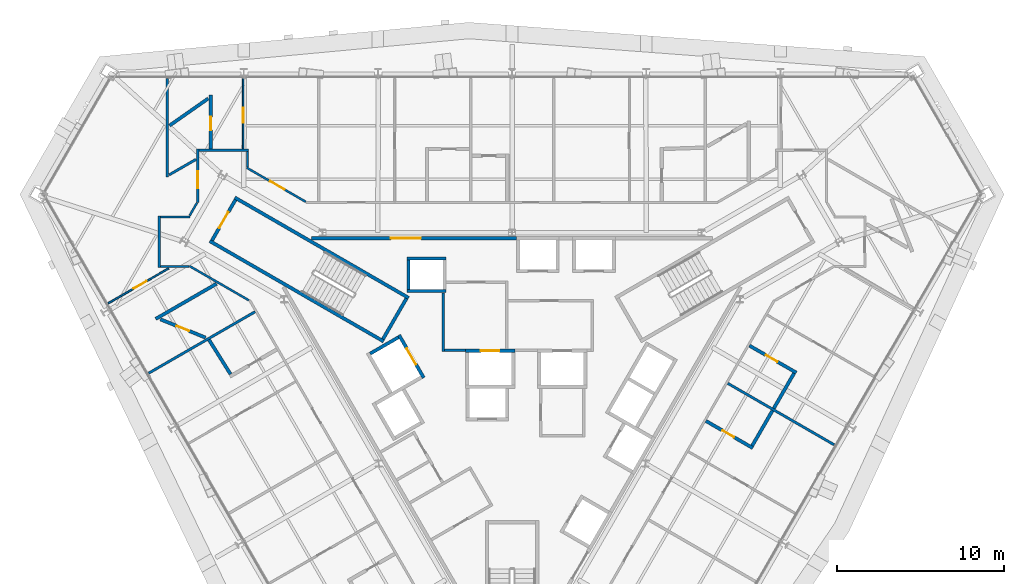
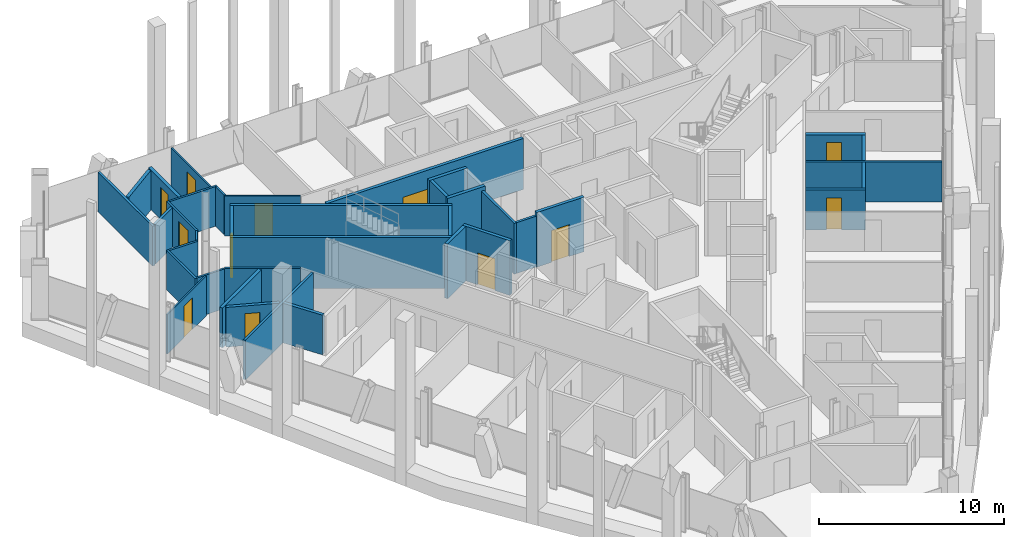
# One storey, part 12 of 16: 37 walls, 12 doors, 12 openings.
"""IFC4 building model written with IfcOpenShell, lengths in metres."""

from ifc_helpers import new_model, si_unit, direction, frame, frame_2d, origin, place, context, subcontext, project, spatial, rectangle, extrude, material, layer, layer_set, type_object, element, fill, save


model = new_model("IFC4")

# Units and contexts
model_context = context("Model", 3, precision=1e-05, world=origin(), true_north=direction((0.0, 1.0)))
body_context = subcontext(model_context, "Body", "Model", "MODEL_VIEW")
ifc_project = project(units=[si_unit("LENGTHUNIT", "METRE"), si_unit("AREAUNIT", "SQUARE_METRE"), si_unit("VOLUMEUNIT", "CUBIC_METRE"), si_unit("PLANEANGLEUNIT", "RADIAN"), si_unit("MASSUNIT", "GRAM", prefix="KILO")], contexts=[model_context])

# Site, building, storey
site_placement = place(None, origin())
site = spatial("IfcSite", under=ifc_project, at=site_placement, CompositionType="ELEMENT")
building_placement = place(site_placement, origin())
building = spatial("IfcBuilding", under=site, at=building_placement, Name="Verrane Prism Tower", CompositionType="ELEMENT")
storey_placement = place(building_placement, frame((0.0, 0.0, 103.60009765625)))
storey = spatial("IfcBuildingStorey", under=building, at=storey_placement, Name="L24", CompositionType="ELEMENT", Elevation=103.60009765625)

# Wall, opening, door
ifc_material_1 = material(Name="Gypsum board partition", Category="other")
ifc_layer_1 = layer(ifc_material_1, 0.199951171875)
ifc_layer_set_1 = layer_set([ifc_layer_1], Name="CW-200 core boundary wall 2 h")
wall_type_1 = type_object("IfcWallType", Name="CW-200 core boundary wall 2 h", PredefinedType="PARTITIONING", material=ifc_layer_set_1)
wall_1_placement = place(storey_placement, frame((0.262939453125, 8.860107421875, 0.0), z_axis=(0.0, 0.0, 1.0), x_axis=(-1.0, 0.0, 0.0)))
wall_1 = element("IfcWall", 1, at=wall_1_placement, inside=storey, type_object=wall_type_1, Name="Core boundary wall CW3-002", PredefinedType="PARTITIONING", context=body_context, shape_type="SweptSolid", body=[
    extrude(rectangle(XDim=12.25390625, YDim=0.199951171875, at=frame_2d((6.126953125, 0.0))), origin(), (0.0, 0.0, 1.0), 3.349853515625),
])
opening_1_placement = place(wall_1_placement, frame((5.708984375, 0.0, 0.0)))
opening_1 = element("IfcOpeningElement", 2, at=opening_1_placement, cuts=wall_1, Name="Opening D24511", PredefinedType="OPENING", context=body_context, shape_type="SweptSolid", body=[
    extrude(rectangle(XDim=1.800048828125, YDim=2.10009765625, at=frame_2d((0.89990234375, 1.050048828125))), frame((0.0, 0.10986328125, 0.0), z_axis=(0.0, -1.0, 0.0), x_axis=(1.0, 0.0, 0.0)), (0.0, 0.0, 1.0), 0.219970703125),
])
ifc_material_2 = material(Name="Timber veneered door leaf", Category="wood")
door_type_1 = type_object("IfcDoorType", Name="DR-1800x2100 FD60 double leaf lift lobby", OperationType="NOTDEFINED", PredefinedType="DOOR", material=ifc_material_2)
door_1_placement = place(opening_1_placement, origin())
door_1 = element("IfcDoor", 3, at=door_1_placement, inside=storey, type_object=door_type_1, Name="Lift lobby door D24511", OperationType="DOUBLE_DOOR_SINGLE_SWING", OverallHeight=2.10009765625, OverallWidth=1.800048828125, PredefinedType="DOOR", context=body_context, shape_type="SweptSolid", body=[
    extrude(rectangle(XDim=1.800048828125, YDim=2.10009765625, at=frame_2d((0.89990234375, 1.050048828125))), frame((0.0, 0.02490234375, 0.0), z_axis=(0.0, -1.0, 0.0), x_axis=(1.0, 0.0, 0.0)), (0.0, 0.0, 1.0), 0.050048828125),
])
fill(opening_1, door_1)

ifc_material_3 = material(Name="Concrete C40/50", Category="concrete")
ifc_layer_2 = layer(ifc_material_3, 0.199951171875)
ifc_layer_set_2 = layer_set([ifc_layer_2], Name="CW-200 stair core wall concrete C40/50 3 h")
wall_type_2 = type_object("IfcWallType", Name="CW-200 stair core wall concrete C40/50 3 h", PredefinedType="PARTITIONING", material=ifc_layer_set_2)
wall_2_placement = place(storey_placement, frame((-16.533935546875, 11.162353515625, 0.0), z_axis=(0.0, 0.0, 1.0), x_axis=(-0.49998411664, -0.866034573852, 0.0)))
wall_2 = element("IfcWall", 4, at=wall_2_placement, inside=storey, type_object=wall_type_2, Name="Stair 2 enclosure wall", PredefinedType="PARTITIONING", context=body_context, shape_type="SweptSolid", body=[
    extrude(rectangle(XDim=2.7998046875, YDim=0.199951171875, at=frame_2d((1.39990234375, 0.0))), origin(), (0.0, 0.0, 1.0), 3.349853515625),
])
opening_2_placement = place(wall_2_placement, frame((0.849853515625, 0.0, 0.0)))
opening_2 = element("IfcOpeningElement", 5, at=opening_2_placement, cuts=wall_2, Name="Opening D24501", PredefinedType="OPENING", context=body_context, shape_type="SweptSolid", body=[
    extrude(rectangle(XDim=1.10009765625, YDim=2.10009765625, at=frame_2d((0.550048828125, 1.050048828125))), frame((0.0, 0.10986328125, 0.0), z_axis=(0.0, -1.0, 0.0), x_axis=(1.0, 0.0, 0.0)), (0.0, 0.0, 1.0), 0.219970703125),
])
ifc_material_4 = material(Name="Timber veneered door leaf", Category="wood")
door_type_2 = type_object("IfcDoorType", Name="DR-1100x2100 FD90 single leaf stair", OperationType="NOTDEFINED", PredefinedType="DOOR", material=ifc_material_4)
door_2_placement = place(opening_2_placement, origin())
door_2 = element("IfcDoor", 6, at=door_2_placement, inside=storey, type_object=door_type_2, Name="Stair 2 door", OperationType="SINGLE_SWING_RIGHT", OverallHeight=2.10009765625, OverallWidth=1.10009765625, PredefinedType="DOOR", context=body_context, shape_type="SweptSolid", body=[
    extrude(rectangle(XDim=1.10009765625, YDim=2.10009765625, at=frame_2d((0.550048828125, 1.050048828125))), frame((0.0, 0.02490234375, 0.0), z_axis=(0.0, -1.0, 0.0), x_axis=(1.0, 0.0, 0.0)), (0.0, 0.0, 1.0), 0.050048828125),
])
fill(opening_2, door_2)

# Walls
for number, where, z_axis, x_axis, name in (
    (7, (-7.67822265625, 2.700927734375, 0.0), (0.0, 0.0, 1.0), (-0.866026010844, 0.49999894854, 0.0), "Stair 2 enclosure wall"),
    (8, (-6.17822265625, 5.299072265625, 0.0), (0.0, 0.0, 1.0), (-0.866026010844, 0.49999894854, 0.0), "Stair 2 enclosure wall"),
):
    element("IfcWall", number, at=place(storey_placement, frame(where, z_axis=z_axis, x_axis=x_axis)), inside=storey, type_object=wall_type_2, Name=name, PredefinedType="PARTITIONING", context=body_context, shape_type="SweptSolid", body=[
        extrude(rectangle(XDim=12.0, YDim=0.199951171875, at=frame_2d((6.0, 0.0))), origin(), (0.0, 0.0, 1.0), 3.349853515625),
    ])
wall_3_placement = place(storey_placement, frame((-6.314697265625, 5.262451171875, 0.0), z_axis=(0.0, 0.0, 1.0), x_axis=(-0.500049511043, -0.865996816683, 0.0)))
element("IfcWall", 9, at=wall_3_placement, inside=storey, type_object=wall_type_2, Name="Stair 2 enclosure wall", PredefinedType="PARTITIONING", context=body_context, shape_type="SweptSolid", body=[
    extrude(rectangle(XDim=2.800048828125, YDim=0.199951171875, at=frame_2d((1.39990234375, 0.0))), origin(), (0.0, 0.0, 1.0), 3.349853515625),
])

# Wall, opening, door
ifc_material_5 = material(Name="Gypsum board shaft wall assembly", Category="other")
ifc_layer_3 = layer(ifc_material_5, 0.199951171875)
ifc_layer_set_3 = layer_set([ifc_layer_3], Name="HW-200 lift shaft wall 2 h")
wall_type_3 = type_object("IfcWallType", Name="HW-200 lift shaft wall 2 h", PredefinedType="PARTITIONING", material=ifc_layer_set_3)
wall_4_placement = place(storey_placement, frame((-2.784912109375, 2.14990234375, 0.0), z_axis=(0.0, 0.0, 1.0), x_axis=(1.0, 0.0, 0.0)))
wall_4 = element("IfcWall", 10, at=wall_4_placement, inside=storey, type_object=wall_type_3, Name="Lift shaft wall", PredefinedType="PARTITIONING", context=body_context, shape_type="SweptSolid", body=[
    extrude(rectangle(XDim=2.949951171875, YDim=0.199951171875, at=frame_2d((1.47509765625, 0.0))), origin(), (0.0, 0.0, 1.0), 3.599853515625),
])
opening_3_placement = place(wall_4_placement, frame((0.925048828125, 0.0, 0.0)))
opening_3 = element("IfcOpeningElement", 11, at=opening_3_placement, cuts=wall_4, Name="Opening D24508", PredefinedType="OPENING", context=body_context, shape_type="SweptSolid", body=[
    extrude(rectangle(XDim=1.10009765625, YDim=2.10009765625, at=frame_2d((0.550048828125, 1.050048828125))), frame((0.0, 0.10986328125, 0.0), z_axis=(0.0, -1.0, 0.0), x_axis=(1.0, 0.0, 0.0)), (0.0, 0.0, 1.0), 0.219970703125),
])
ifc_material_6 = material(Name="Stainless steel sliding landing door", Category="steel")
door_type_3 = type_object("IfcDoorType", Name="LD-1100x2100 lift landing door FD90 sliding", OperationType="NOTDEFINED", PredefinedType="DOOR", material=ifc_material_6)
door_3_placement = place(opening_3_placement, origin())
door_3 = element("IfcDoor", 12, at=door_3_placement, inside=storey, type_object=door_type_3, Name="Fire service lift 1 landing door", OperationType="SLIDING_TO_LEFT", OverallHeight=2.10009765625, OverallWidth=1.10009765625, PredefinedType="DOOR", context=body_context, shape_type="SweptSolid", body=[
    extrude(rectangle(XDim=1.10009765625, YDim=2.10009765625, at=frame_2d((0.550048828125, 1.050048828125))), frame((0.0, 0.02490234375, 0.0), z_axis=(0.0, -1.0, 0.0), x_axis=(1.0, 0.0, 0.0)), (0.0, 0.0, 1.0), 0.050048828125),
])
fill(opening_3, door_3)

# Walls
for number, where, z_axis, x_axis, name in (
    (13, (-6.284912109375, 5.7099609375, 0.0), (0.0, 0.0, 1.0), (1.0, 0.0, 0.0), "Lift shaft wall"),
    (14, (-6.284912109375, 7.659912109375, 0.0), (0.0, 0.0, 1.0), (1.0, 0.0, 0.0), "Lift shaft wall"),
):
    element("IfcWall", number, at=place(storey_placement, frame(where, z_axis=z_axis, x_axis=x_axis)), inside=storey, type_object=wall_type_3, Name=name, PredefinedType="PARTITIONING", context=body_context, shape_type="SweptSolid", body=[
        extrude(rectangle(XDim=2.349853515625, YDim=0.199951171875, at=frame_2d((1.1748046875, 0.0))), origin(), (0.0, 0.0, 1.0), 3.599853515625),
    ])
wall_5_placement = place(storey_placement, frame((-8.48046875, 1.968505859375, 0.0), z_axis=(0.0, 0.0, 1.0), x_axis=(0.866000020948, 0.500043961785, 0.0)))
element("IfcWall", 15, at=wall_5_placement, inside=storey, type_object=wall_type_3, Name="Lift shaft wall", PredefinedType="PARTITIONING", context=body_context, shape_type="SweptSolid", body=[
    extrude(rectangle(XDim=1.949951171875, YDim=0.199951171875, at=frame_2d((0.97509765625, 0.0))), origin(), (0.0, 0.0, 1.0), 3.599853515625),
])
wall_6_placement = place(storey_placement, frame((-6.18505859375, 5.81005859375, 0.0), z_axis=(0.0, 0.0, 1.0), x_axis=(0.0, 1.0, 0.0)))
element("IfcWall", 16, at=wall_6_placement, inside=storey, type_object=wall_type_3, Name="Lift shaft wall", PredefinedType="PARTITIONING", context=body_context, shape_type="SweptSolid", body=[
    extrude(rectangle(XDim=1.75, YDim=0.199951171875, at=frame_2d((0.875, 0.0))), origin(), (0.0, 0.0, 1.0), 3.599853515625),
])

# Wall, opening, door
wall_7_placement = place(storey_placement, frame((-5.280029296875, 0.525390625, 0.0), z_axis=(0.0, 0.0, 1.0), x_axis=(-0.500037662692, 0.866003658127, 0.0)))
wall_7 = element("IfcWall", 17, at=wall_7_placement, inside=storey, type_object=wall_type_3, Name="Lift shaft wall", PredefinedType="PARTITIONING", context=body_context, shape_type="SweptSolid", body=[
    extrude(rectangle(XDim=2.949951171875, YDim=0.199951171875, at=frame_2d((1.47509765625, 0.0))), origin(), (0.0, 0.0, 1.0), 3.599853515625),
])
opening_4_placement = place(wall_7_placement, frame((0.925048828125, 0.0, 0.0)))
opening_4 = element("IfcOpeningElement", 18, at=opening_4_placement, cuts=wall_7, Name="Opening D24510", PredefinedType="OPENING", context=body_context, shape_type="SweptSolid", body=[
    extrude(rectangle(XDim=1.10009765625, YDim=2.10009765625, at=frame_2d((0.550048828125, 1.050048828125))), frame((0.0, 0.10986328125, 0.0), z_axis=(0.0, -1.0, 0.0), x_axis=(1.0, 0.0, 0.0)), (0.0, 0.0, 1.0), 0.219970703125),
])
door_4_placement = place(opening_4_placement, origin())
door_4 = element("IfcDoor", 19, at=door_4_placement, inside=storey, type_object=door_type_3, Name="Service lift 1 landing door", OperationType="SLIDING_TO_LEFT", OverallHeight=2.10009765625, OverallWidth=1.10009765625, PredefinedType="DOOR", context=body_context, shape_type="SweptSolid", body=[
    extrude(rectangle(XDim=1.10009765625, YDim=2.10009765625, at=frame_2d((0.550048828125, 1.050048828125))), frame((0.0, 0.02490234375, 0.0), z_axis=(0.0, -1.0, 0.0), x_axis=(1.0, 0.0, 0.0)), (0.0, 0.0, 1.0), 0.050048828125),
])
fill(opening_4, door_4)

# Walls
ifc_material_7 = material(Name="Gypsum board partition", Category="other")
ifc_layer_4 = layer(ifc_material_7, 0.14990234375)
ifc_layer_set_4 = layer_set([ifc_layer_4], Name="LF-150 firefighting lobby wall 1 h")
wall_type_4 = type_object("IfcWallType", Name="LF-150 firefighting lobby wall 1 h", PredefinedType="PARTITIONING", material=ifc_layer_set_4)
wall_8_placement = place(storey_placement, frame((-4.10009765625, 2.0849609375, 0.0), z_axis=(0.0, 0.0, 1.0), x_axis=(0.0, 1.0, 0.0)))
element("IfcWall", 20, at=wall_8_placement, inside=storey, type_object=wall_type_4, Name="Firefighting lobby wall LF1-001", PredefinedType="PARTITIONING", context=body_context, shape_type="SweptSolid", body=[
    extrude(rectangle(XDim=3.52294921875, YDim=0.14990234375, at=frame_2d((1.761474609375, 0.0))), origin(), (0.0, 0.0, 1.0), 3.349853515625),
])
wall_9_placement = place(storey_placement, frame((-4.02490234375, 2.159912109375, 0.0), z_axis=(0.0, 0.0, 1.0), x_axis=(1.0, 0.0, 0.0)))
element("IfcWall", 21, at=wall_9_placement, inside=storey, type_object=wall_type_4, Name="Firefighting lobby wall LF1-002", PredefinedType="PARTITIONING", context=body_context, shape_type="SweptSolid", body=[
    extrude(rectangle(XDim=1.23779296875, YDim=0.14990234375, at=frame_2d((0.618896484375, 0.0))), origin(), (0.0, 0.0, 1.0), 3.349853515625),
])

# Wall, opening, door
ifc_material_8 = material(Name="Gypsum board partition", Category="other")
ifc_layer_5 = layer(ifc_material_8, 0.10009765625)
ifc_layer_set_5 = layer_set([ifc_layer_5], Name="PW-100 room partition")
wall_type_5 = type_object("IfcWallType", Name="PW-100 room partition", PredefinedType="PARTITIONING", material=ifc_layer_set_5)
wall_10_placement = place(storey_placement, frame((-20.521240234375, 7.067138671875, 0.0), z_axis=(0.0, 0.0, 1.0), x_axis=(-0.866025950195, -0.499999053588, 0.0)))
wall_10 = element("IfcWall", 22, at=wall_10_placement, inside=storey, type_object=wall_type_5, Name="Room partition 001", PredefinedType="PARTITIONING", context=body_context, shape_type="SweptSolid", body=[
    extrude(rectangle(XDim=4.1767578125, YDim=0.10009765625, at=frame_2d((2.08837890625, 0.0))), origin(), (0.0, 0.0, 1.0), 2.61279296875),
])
opening_5_placement = place(wall_10_placement, frame((1.522216796875, 0.0, 0.0)))
opening_5 = element("IfcOpeningElement", 23, at=opening_5_placement, cuts=wall_10, Name="Opening D24029", PredefinedType="OPENING", context=body_context, shape_type="SweptSolid", body=[
    extrude(rectangle(XDim=0.89990234375, YDim=2.10009765625, at=frame_2d((0.449951171875, 1.050048828125))), frame((0.0, 0.06005859375, 0.0), z_axis=(0.0, -1.0, 0.0), x_axis=(1.0, 0.0, 0.0)), (0.0, 0.0, 1.0), 0.1201171875),
])
ifc_material_9 = material(Name="Timber veneered door leaf", Category="wood")
door_type_4 = type_object("IfcDoorType", Name="DR-900x2100 single leaf inner", OperationType="NOTDEFINED", PredefinedType="DOOR", material=ifc_material_9)
door_5_placement = place(opening_5_placement, origin())
door_5 = element("IfcDoor", 24, at=door_5_placement, inside=storey, type_object=door_type_4, Name="Suite Living Room door", OperationType="SINGLE_SWING_RIGHT", OverallHeight=2.10009765625, OverallWidth=0.89990234375, PredefinedType="DOOR", context=body_context, shape_type="SweptSolid", body=[
    extrude(rectangle(XDim=0.89990234375, YDim=2.10009765625, at=frame_2d((0.449951171875, 1.050048828125))), frame((0.0, 0.02490234375, 0.0), z_axis=(0.0, -1.0, 0.0), x_axis=(1.0, 0.0, 0.0)), (0.0, 0.0, 1.0), 0.050048828125),
])
fill(opening_5, door_5)

wall_11_placement = place(storey_placement, frame((-16.074951171875, 14.189453125, 0.0), z_axis=(0.0, 0.0, 1.0), x_axis=(0.0, 1.0, 0.0)))
wall_11 = element("IfcWall", 25, at=wall_11_placement, inside=storey, type_object=wall_type_5, Name="Room partition 020", PredefinedType="PARTITIONING", context=body_context, shape_type="SweptSolid", body=[
    extrude(rectangle(XDim=4.2255859375, YDim=0.10009765625, at=frame_2d((2.11279296875, 0.0))), origin(), (0.0, 0.0, 1.0), 2.61279296875),
])
opening_6_placement = place(wall_11_placement, frame((1.58740234375, 0.0, 0.0)))
opening_6 = element("IfcOpeningElement", 26, at=opening_6_placement, cuts=wall_11, Name="Opening D24026", PredefinedType="OPENING", context=body_context, shape_type="SweptSolid", body=[
    extrude(rectangle(XDim=0.89990234375, YDim=2.10009765625, at=frame_2d((0.449951171875, 1.050048828125))), frame((0.0, 0.06005859375, 0.0), z_axis=(0.0, -1.0, 0.0), x_axis=(1.0, 0.0, 0.0)), (0.0, 0.0, 1.0), 0.1201171875),
])
door_6_placement = place(opening_6_placement, origin())
door_6 = element("IfcDoor", 27, at=door_6_placement, inside=storey, type_object=door_type_4, Name="Suite Living Room door", OperationType="SINGLE_SWING_RIGHT", OverallHeight=2.10009765625, OverallWidth=0.89990234375, PredefinedType="DOOR", context=body_context, shape_type="SweptSolid", body=[
    extrude(rectangle(XDim=0.89990234375, YDim=2.10009765625, at=frame_2d((0.449951171875, 1.050048828125))), frame((0.0, 0.02490234375, 0.0), z_axis=(0.0, -1.0, 0.0), x_axis=(1.0, 0.0, 0.0)), (0.0, 0.0, 1.0), 0.050048828125),
])
fill(opening_6, door_6)

# Walls
ifc_material_10 = material(Name="Gypsum board partition", Category="other")
ifc_layer_6 = layer(ifc_material_10, 0.125)
ifc_layer_set_6 = layer_set([ifc_layer_6], Name="PW-125 corridor wall 1 h")
wall_type_6 = type_object("IfcWallType", Name="PW-125 corridor wall 1 h", PredefinedType="PARTITIONING", material=ifc_layer_set_6)
wall_12_placement = place(storey_placement, frame((-21.0869140625, 7.110595703125, 0.0), z_axis=(0.0, 0.0, 1.0), x_axis=(0.0, 1.0, 0.0)))
element("IfcWall", 28, at=wall_12_placement, inside=storey, type_object=wall_type_6, Name="Corridor wall 005", PredefinedType="PARTITIONING", context=body_context, shape_type="SweptSolid", body=[
    extrude(rectangle(XDim=3.098876953125, YDim=0.125, at=frame_2d((1.54931640625, 0.0))), origin(), (0.0, 0.0, 1.0), 2.61279296875),
])
wall_13_placement = place(storey_placement, frame((-21.02197265625, 7.173095703125, 0.0), z_axis=(0.0, 0.0, 1.0), x_axis=(1.0, 0.0, 0.0)))
element("IfcWall", 29, at=wall_13_placement, inside=storey, type_object=wall_type_6, Name="Corridor wall 006", PredefinedType="PARTITIONING", context=body_context, shape_type="SweptSolid", body=[
    extrude(rectangle(XDim=1.712890625, YDim=0.125, at=frame_2d((0.8564453125, 0.0))), origin(), (0.0, 0.0, 1.0), 2.61279296875),
])
wall_14_placement = place(storey_placement, frame((-21.02197265625, 10.14697265625, 0.0), z_axis=(0.0, 0.0, 1.0), x_axis=(1.0, 0.0, 0.0)))
element("IfcWall", 30, at=wall_14_placement, inside=storey, type_object=wall_type_6, Name="Corridor wall 007", PredefinedType="PARTITIONING", context=body_context, shape_type="SweptSolid", body=[
    extrude(rectangle(XDim=1.7705078125, YDim=0.125, at=frame_2d((0.88525390625, 0.0))), origin(), (0.0, 0.0, 1.0), 2.61279296875),
])
wall_15_placement = place(storey_placement, frame((-19.271484375, 10.220703125, 0.0), z_axis=(0.0, 0.0, 1.0), x_axis=(0.499881837328, 0.866093614288, 0.0)))
element("IfcWall", 31, at=wall_15_placement, inside=storey, type_object=wall_type_6, Name="Corridor wall 011", PredefinedType="PARTITIONING", context=body_context, shape_type="SweptSolid", body=[
    extrude(rectangle(XDim=0.884033203125, YDim=0.125, at=frame_2d((0.44189453125, 0.0))), origin(), (0.0, 0.0, 1.0), 2.61279296875),
])
wall_16_placement = place(storey_placement, frame((-19.278076171875, 7.204345703125, 0.0), z_axis=(0.0, 0.0, 1.0), x_axis=(0.865992261418, -0.50005739987, 0.0)))
element("IfcWall", 32, at=wall_16_placement, inside=storey, type_object=wall_type_6, Name="Corridor wall 013", PredefinedType="PARTITIONING", context=body_context, shape_type="SweptSolid", body=[
    extrude(rectangle(XDim=4.10107421875, YDim=0.125, at=frame_2d((2.050537109375, 0.0))), origin(), (0.0, 0.0, 1.0), 2.61279296875),
])

# Wall, opening, door
wall_17_placement = place(storey_placement, frame((-18.787109375, 10.99755859375, 0.0), z_axis=(0.0, 0.0, 1.0), x_axis=(0.0, 1.0, 0.0)))
wall_17 = element("IfcWall", 33, at=wall_17_placement, inside=storey, type_object=wall_type_6, Name="Corridor wall 014", PredefinedType="PARTITIONING", context=body_context, shape_type="SweptSolid", body=[
    extrude(rectangle(XDim=3.19189453125, YDim=0.125, at=frame_2d((1.595947265625, 0.0))), origin(), (0.0, 0.0, 1.0), 2.61279296875),
])
opening_7_placement = place(wall_17_placement, frame((0.862548828125, 0.0, 0.0)))
opening_7 = element("IfcOpeningElement", 34, at=opening_7_placement, cuts=wall_17, Name="Opening D24028", PredefinedType="OPENING", context=body_context, shape_type="SweptSolid", body=[
    extrude(rectangle(XDim=1.0, YDim=2.10009765625, at=frame_2d((0.5, 1.050048828125))), frame((0.0, 0.072509765625, 0.0), z_axis=(0.0, -1.0, 0.0), x_axis=(1.0, 0.0, 0.0)), (0.0, 0.0, 1.0), 0.14501953125),
])
ifc_material_11 = material(Name="Timber veneered door leaf", Category="wood")
door_type_5 = type_object("IfcDoorType", Name="DR-1000x2100 FD20 single leaf unit", OperationType="NOTDEFINED", PredefinedType="DOOR", material=ifc_material_11)
door_7_placement = place(opening_7_placement, origin())
door_7 = element("IfcDoor", 35, at=door_7_placement, inside=storey, type_object=door_type_5, Name="Suite Living Room door", OperationType="SINGLE_SWING_RIGHT", OverallHeight=2.10009765625, OverallWidth=1.0, PredefinedType="DOOR", context=body_context, shape_type="SweptSolid", body=[
    extrude(rectangle(XDim=1.0, YDim=2.10009765625, at=frame_2d((0.5, 1.050048828125))), frame((0.0, 0.02490234375, 0.0), z_axis=(0.0, -1.0, 0.0), x_axis=(1.0, 0.0, 0.0)), (0.0, 0.0, 1.0), 0.050048828125),
])
fill(opening_7, door_7)

# Walls
wall_18_placement = place(storey_placement, frame((-18.721923828125, 14.126953125, 0.0), z_axis=(0.0, 0.0, 1.0), x_axis=(1.0, 0.0, 0.0)))
element("IfcWall", 36, at=wall_18_placement, inside=storey, type_object=wall_type_6, Name="Corridor wall 015", PredefinedType="PARTITIONING", context=body_context, shape_type="SweptSolid", body=[
    extrude(rectangle(XDim=2.971435546875, YDim=0.125, at=frame_2d((1.48583984375, 0.0))), origin(), (0.0, 0.0, 1.0), 2.61279296875),
])
wall_19_placement = place(storey_placement, frame((-15.81298828125, 13.139892578125, 0.0), z_axis=(0.0, 0.0, 1.0), x_axis=(0.0, 1.0, 0.0)))
element("IfcWall", 37, at=wall_19_placement, inside=storey, type_object=wall_type_6, Name="Corridor wall 021", PredefinedType="PARTITIONING", context=body_context, shape_type="SweptSolid", body=[
    extrude(rectangle(XDim=0.922119140625, YDim=0.125, at=frame_2d((0.4609375, 0.0))), origin(), (0.0, 0.0, 1.0), 2.61279296875),
])

# Wall, opening, door
wall_20_placement = place(storey_placement, frame((-15.8671875, 13.086181640625, 0.0), z_axis=(0.0, 0.0, 1.0), x_axis=(0.866070231021, -0.499922348909, 0.0)))
wall_20 = element("IfcWall", 38, at=wall_20_placement, inside=storey, type_object=wall_type_6, Name="Corridor wall 022", PredefinedType="PARTITIONING", context=body_context, shape_type="SweptSolid", body=[
    extrude(rectangle(XDim=4.088134765625, YDim=0.125, at=frame_2d((2.0439453125, 0.0))), origin(), (0.0, 0.0, 1.0), 2.61279296875),
])
opening_8_placement = place(wall_20_placement, frame((1.612548828125, 0.0, 0.0)))
opening_8 = element("IfcOpeningElement", 39, at=opening_8_placement, cuts=wall_20, Name="Opening D24025", PredefinedType="OPENING", context=body_context, shape_type="SweptSolid", body=[
    extrude(rectangle(XDim=1.0, YDim=2.10009765625, at=frame_2d((0.5, 1.050048828125))), frame((0.0, 0.072509765625, 0.0), z_axis=(0.0, -1.0, 0.0), x_axis=(1.0, 0.0, 0.0)), (0.0, 0.0, 1.0), 0.14501953125),
])
door_8_placement = place(opening_8_placement, origin())
door_8 = element("IfcDoor", 40, at=door_8_placement, inside=storey, type_object=door_type_5, Name="Suite Living Room door", OperationType="SINGLE_SWING_LEFT", OverallHeight=2.10009765625, OverallWidth=1.0, PredefinedType="DOOR", context=body_context, shape_type="SweptSolid", body=[
    extrude(rectangle(XDim=1.0, YDim=2.10009765625, at=frame_2d((0.5, 1.050048828125))), frame((0.0, 0.02490234375, 0.0), z_axis=(0.0, -1.0, 0.0), x_axis=(1.0, 0.0, 0.0)), (0.0, 0.0, 1.0), 0.050048828125),
])
fill(opening_8, door_8)

# Walls
ifc_material_12 = material(Name="Gypsum board partition", Category="other")
ifc_layer_7 = layer(ifc_material_12, 0.14990234375)
ifc_layer_set_7 = layer_set([ifc_layer_7], Name="PW-150 demising wall 1 h")
wall_type_7 = type_object("IfcWallType", Name="PW-150 demising wall 1 h", PredefinedType="PARTITIONING", material=ifc_layer_set_7)
wall_21_placement = place(storey_placement, frame((-21.724609375, 0.798095703125, 0.0), z_axis=(0.0, 0.0, 1.0), x_axis=(0.866003534372, 0.50003787702, 0.0)))
element("IfcWall", 41, at=wall_21_placement, inside=storey, type_object=wall_type_7, Name="Demising wall 002", PredefinedType="PARTITIONING", context=body_context, shape_type="SweptSolid", body=[
    extrude(rectangle(XDim=7.34765625, YDim=0.14990234375, at=frame_2d((3.673828125, 0.0))), origin(), (0.0, 0.0, 1.0), 2.61279296875),
])
wall_22_placement = place(storey_placement, frame((-20.60693359375, 12.51611328125, 0.0), z_axis=(0.0, 0.0, 1.0), x_axis=(0.0, 1.0, 0.0)))
element("IfcWall", 42, at=wall_22_placement, inside=storey, type_object=wall_type_7, Name="Demising wall 008", PredefinedType="PARTITIONING", context=body_context, shape_type="SweptSolid", body=[
    extrude(rectangle(XDim=5.89892578125, YDim=0.14990234375, at=frame_2d((2.949462890625, 0.0))), origin(), (0.0, 0.0, 1.0), 2.61279296875),
])
wall_23_placement = place(storey_placement, frame((-20.494384765625, 12.656005859375, 0.0), z_axis=(0.0, 0.0, 1.0), x_axis=(0.865984062371, 0.500071598593, 0.0)))
element("IfcWall", 43, at=wall_23_placement, inside=storey, type_object=wall_type_7, Name="Demising wall 009", PredefinedType="PARTITIONING", context=body_context, shape_type="SweptSolid", body=[
    extrude(rectangle(XDim=1.856201171875, YDim=0.14990234375, at=frame_2d((0.92822265625, 0.0))), origin(), (0.0, 0.0, 1.0), 2.61279296875),
])
wall_24_placement = place(storey_placement, frame((12.892578125, 0.1953125, 0.0), z_axis=(0.0, 0.0, 1.0), x_axis=(0.865995225926, -0.500052265941, 0.0)))
element("IfcWall", 44, at=wall_24_placement, inside=storey, type_object=wall_type_7, Name="Demising wall 064", PredefinedType="PARTITIONING", context=body_context, shape_type="SweptSolid", body=[
    extrude(rectangle(XDim=7.347412109375, YDim=0.14990234375, at=frame_2d((3.673828125, 0.0))), origin(), (0.0, 0.0, 1.0), 2.61279296875),
])

# Wall, opening, door
ifc_material_13 = material(Name="Gypsum board partition", Category="other")
ifc_layer_8 = layer(ifc_material_13, 0.199951171875)
ifc_layer_set_8 = layer_set([ifc_layer_8], Name="PW-200 plumbing wall")
wall_type_8 = type_object("IfcWallType", Name="PW-200 plumbing wall", PredefinedType="PARTITIONING", material=ifc_layer_set_8)
wall_25_placement = place(storey_placement, frame((-21.02099609375, 4.02001953125, 0.0), z_axis=(0.0, 0.0, 1.0), x_axis=(0.927010502524, -0.375035369278, 0.0)))
wall_25 = element("IfcWall", 45, at=wall_25_placement, inside=storey, type_object=wall_type_8, Name="Plumbing wall 003", PredefinedType="PARTITIONING", context=body_context, shape_type="SweptSolid", body=[
    extrude(rectangle(XDim=2.919677734375, YDim=0.199951171875, at=frame_2d((1.4599609375, 0.0))), origin(), (0.0, 0.0, 1.0), 2.61279296875),
])
opening_9_placement = place(wall_25_placement, frame((1.044921875, 0.0, 0.0)))
opening_9 = element("IfcOpeningElement", 46, at=opening_9_placement, cuts=wall_25, Name="Opening D24030", PredefinedType="OPENING", context=body_context, shape_type="SweptSolid", body=[
    extrude(rectangle(XDim=0.800048828125, YDim=2.10009765625, at=frame_2d((0.39990234375, 1.050048828125))), frame((0.0, 0.10986328125, 0.0), z_axis=(0.0, -1.0, 0.0), x_axis=(1.0, 0.0, 0.0)), (0.0, 0.0, 1.0), 0.219970703125),
])
ifc_material_14 = material(Name="Timber veneered door leaf", Category="wood")
door_type_6 = type_object("IfcDoorType", Name="DR-800x2100 single leaf bath", OperationType="NOTDEFINED", PredefinedType="DOOR", material=ifc_material_14)
door_9_placement = place(opening_9_placement, origin())
door_9 = element("IfcDoor", 47, at=door_9_placement, inside=storey, type_object=door_type_6, Name="En-Suite door", OperationType="SINGLE_SWING_RIGHT", OverallHeight=2.10009765625, OverallWidth=0.800048828125, PredefinedType="DOOR", context=body_context, shape_type="SweptSolid", body=[
    extrude(rectangle(XDim=0.800048828125, YDim=2.10009765625, at=frame_2d((0.39990234375, 1.050048828125))), frame((0.0, 0.02490234375, 0.0), z_axis=(0.0, -1.0, 0.0), x_axis=(1.0, 0.0, 0.0)), (0.0, 0.0, 1.0), 0.050048828125),
])
fill(opening_9, door_9)

# Walls
wall_26_placement = place(storey_placement, frame((-21.297607421875, 4.046875, 0.0), z_axis=(0.0, 0.0, 1.0), x_axis=(0.865948008923, 0.500134027879, 0.0)))
element("IfcWall", 48, at=wall_26_placement, inside=storey, type_object=wall_type_8, Name="Plumbing wall 004", PredefinedType="PARTITIONING", context=body_context, shape_type="SweptSolid", body=[
    extrude(rectangle(XDim=4.193115234375, YDim=0.199951171875, at=frame_2d((2.0966796875, 0.0))), origin(), (0.0, 0.0, 1.0), 2.61279296875),
])
wall_27_placement = place(storey_placement, frame((-20.474609375, 15.599609375, 0.0), z_axis=(0.0, 0.0, 1.0), x_axis=(0.819231920519, 0.573462344363, 0.0)))
element("IfcWall", 49, at=wall_27_placement, inside=storey, type_object=wall_type_8, Name="Plumbing wall 010", PredefinedType="PARTITIONING", context=body_context, shape_type="SweptSolid", body=[
    extrude(rectangle(XDim=2.822265625, YDim=0.199951171875, at=frame_2d((1.4111328125, 0.0))), origin(), (0.0, 0.0, 1.0), 2.61279296875),
])
wall_28_placement = place(storey_placement, frame((-18.1123046875, 2.79345703125, 0.0), z_axis=(0.0, 0.0, 1.0), x_axis=(0.530334606404, -0.847788420097, 0.0)))
element("IfcWall", 50, at=wall_28_placement, inside=storey, type_object=wall_type_8, Name="Plumbing wall 016", PredefinedType="PARTITIONING", context=body_context, shape_type="SweptSolid", body=[
    extrude(rectangle(XDim=2.418701171875, YDim=0.199951171875, at=frame_2d((1.20947265625, 0.0))), origin(), (0.0, 0.0, 1.0), 2.61279296875),
])

# Wall, opening, door
wall_29_placement = place(storey_placement, frame((-18.007080078125, 14.189453125, 0.0), z_axis=(0.0, 0.0, 1.0), x_axis=(0.0, 1.0, 0.0)))
wall_29 = element("IfcWall", 51, at=wall_29_placement, inside=storey, type_object=wall_type_8, Name="Plumbing wall 017", PredefinedType="PARTITIONING", context=body_context, shape_type="SweptSolid", body=[
    extrude(rectangle(XDim=3.237548828125, YDim=0.199951171875, at=frame_2d((1.61865234375, 0.0))), origin(), (0.0, 0.0, 1.0), 2.61279296875),
])
opening_10_placement = place(wall_29_placement, frame((1.137451171875, 0.0, 0.0)))
opening_10 = element("IfcOpeningElement", 52, at=opening_10_placement, cuts=wall_29, Name="Opening D24027", PredefinedType="OPENING", context=body_context, shape_type="SweptSolid", body=[
    extrude(rectangle(XDim=0.800048828125, YDim=2.10009765625, at=frame_2d((0.39990234375, 1.050048828125))), frame((0.0, 0.10986328125, 0.0), z_axis=(0.0, -1.0, 0.0), x_axis=(1.0, 0.0, 0.0)), (0.0, 0.0, 1.0), 0.219970703125),
])
door_10_placement = place(opening_10_placement, origin())
door_10 = element("IfcDoor", 53, at=door_10_placement, inside=storey, type_object=door_type_6, Name="En-Suite door", OperationType="SINGLE_SWING_LEFT", OverallHeight=2.10009765625, OverallWidth=0.800048828125, PredefinedType="DOOR", context=body_context, shape_type="SweptSolid", body=[
    extrude(rectangle(XDim=0.800048828125, YDim=2.10009765625, at=frame_2d((0.39990234375, 1.050048828125))), frame((0.0, 0.02490234375, 0.0), z_axis=(0.0, -1.0, 0.0), x_axis=(1.0, 0.0, 0.0)), (0.0, 0.0, 1.0), 0.050048828125),
])
fill(opening_10, door_10)

wall_30_placement = place(storey_placement, frame((11.588134765625, -2.05419921875, 0.0), z_axis=(0.0, 0.0, 1.0), x_axis=(0.865983377851, -0.500072783988, 0.0)))
wall_30 = element("IfcWall", 54, at=wall_30_placement, inside=storey, type_object=wall_type_8, Name="Plumbing wall 060", PredefinedType="PARTITIONING", context=body_context, shape_type="SweptSolid", body=[
    extrude(rectangle(XDim=3.2373046875, YDim=0.199951171875, at=frame_2d((1.61865234375, 0.0))), origin(), (0.0, 0.0, 1.0), 2.61279296875),
])
opening_11_placement = place(wall_30_placement, frame((1.137451171875, 0.0, 0.0)))
opening_11 = element("IfcOpeningElement", 55, at=opening_11_placement, cuts=wall_30, Name="Opening D24008", PredefinedType="OPENING", context=body_context, shape_type="SweptSolid", body=[
    extrude(rectangle(XDim=0.800048828125, YDim=2.10009765625, at=frame_2d((0.39990234375, 1.050048828125))), frame((0.0, 0.10986328125, 0.0), z_axis=(0.0, -1.0, 0.0), x_axis=(1.0, 0.0, 0.0)), (0.0, 0.0, 1.0), 0.219970703125),
])
door_11_placement = place(opening_11_placement, origin())
door_11 = element("IfcDoor", 56, at=door_11_placement, inside=storey, type_object=door_type_6, Name="En-Suite door", OperationType="SINGLE_SWING_RIGHT", OverallHeight=2.10009765625, OverallWidth=0.800048828125, PredefinedType="DOOR", context=body_context, shape_type="SweptSolid", body=[
    extrude(rectangle(XDim=0.800048828125, YDim=2.10009765625, at=frame_2d((0.39990234375, 1.050048828125))), frame((0.0, 0.02490234375, 0.0), z_axis=(0.0, -1.0, 0.0), x_axis=(1.0, 0.0, 0.0)), (0.0, 0.0, 1.0), 0.050048828125),
])
fill(opening_11, door_11)

wall_31_placement = place(storey_placement, frame((16.99169921875, 0.8310546875, 0.0), z_axis=(0.0, 0.0, 1.0), x_axis=(-0.866022073929, 0.500005767435, 0.0)))
wall_31 = element("IfcWall", 57, at=wall_31_placement, inside=storey, type_object=wall_type_8, Name="Plumbing wall 065", PredefinedType="PARTITIONING", context=body_context, shape_type="SweptSolid", body=[
    extrude(rectangle(XDim=3.232421875, YDim=0.199951171875, at=frame_2d((1.6162109375, 0.0))), origin(), (0.0, 0.0, 1.0), 2.61279296875),
])
opening_12_placement = place(wall_31_placement, frame((1.2998046875, 0.0, 0.0)))
opening_12 = element("IfcOpeningElement", 58, at=opening_12_placement, cuts=wall_31, Name="Opening D24011", PredefinedType="OPENING", context=body_context, shape_type="SweptSolid", body=[
    extrude(rectangle(XDim=0.800048828125, YDim=2.10009765625, at=frame_2d((0.39990234375, 1.050048828125))), frame((0.0, 0.10986328125, 0.0), z_axis=(0.0, -1.0, 0.0), x_axis=(1.0, 0.0, 0.0)), (0.0, 0.0, 1.0), 0.219970703125),
])
door_12_placement = place(opening_12_placement, origin())
door_12 = element("IfcDoor", 59, at=door_12_placement, inside=storey, type_object=door_type_6, Name="En-Suite door", OperationType="SINGLE_SWING_RIGHT", OverallHeight=2.10009765625, OverallWidth=0.800048828125, PredefinedType="DOOR", context=body_context, shape_type="SweptSolid", body=[
    extrude(rectangle(XDim=0.800048828125, YDim=2.10009765625, at=frame_2d((0.39990234375, 1.050048828125))), frame((0.0, 0.02490234375, 0.0), z_axis=(0.0, -1.0, 0.0), x_axis=(1.0, 0.0, 0.0)), (0.0, 0.0, 1.0), 0.050048828125),
])
fill(opening_12, door_12)

# Walls
wall_32_placement = place(storey_placement, frame((14.35498046875, -3.536376953125, 0.0), z_axis=(0.0, 0.0, 1.0), x_axis=(0.50002218001, 0.866012597771, 0.0)))
element("IfcWall", 60, at=wall_32_placement, inside=storey, type_object=wall_type_8, Name="Plumbing wall 067", PredefinedType="PARTITIONING", context=body_context, shape_type="SweptSolid", body=[
    extrude(rectangle(XDim=2.4208984375, YDim=0.199951171875, at=frame_2d((1.21044921875, 0.0))), origin(), (0.0, 0.0, 1.0), 2.61279296875),
])
wall_33_placement = place(storey_placement, frame((15.6455078125, -1.302001953125, 0.0), z_axis=(0.0, 0.0, 1.0), x_axis=(0.499719542643, 0.866187265377, 0.0)))
element("IfcWall", 61, at=wall_33_placement, inside=storey, type_object=wall_type_8, Name="Plumbing wall 069", PredefinedType="PARTITIONING", context=body_context, shape_type="SweptSolid", body=[
    extrude(rectangle(XDim=2.42041015625, YDim=0.199951171875, at=frame_2d((1.210205078125, 0.0))), origin(), (0.0, 0.0, 1.0), 2.61279296875),
])

save(model, "model.ifc")
